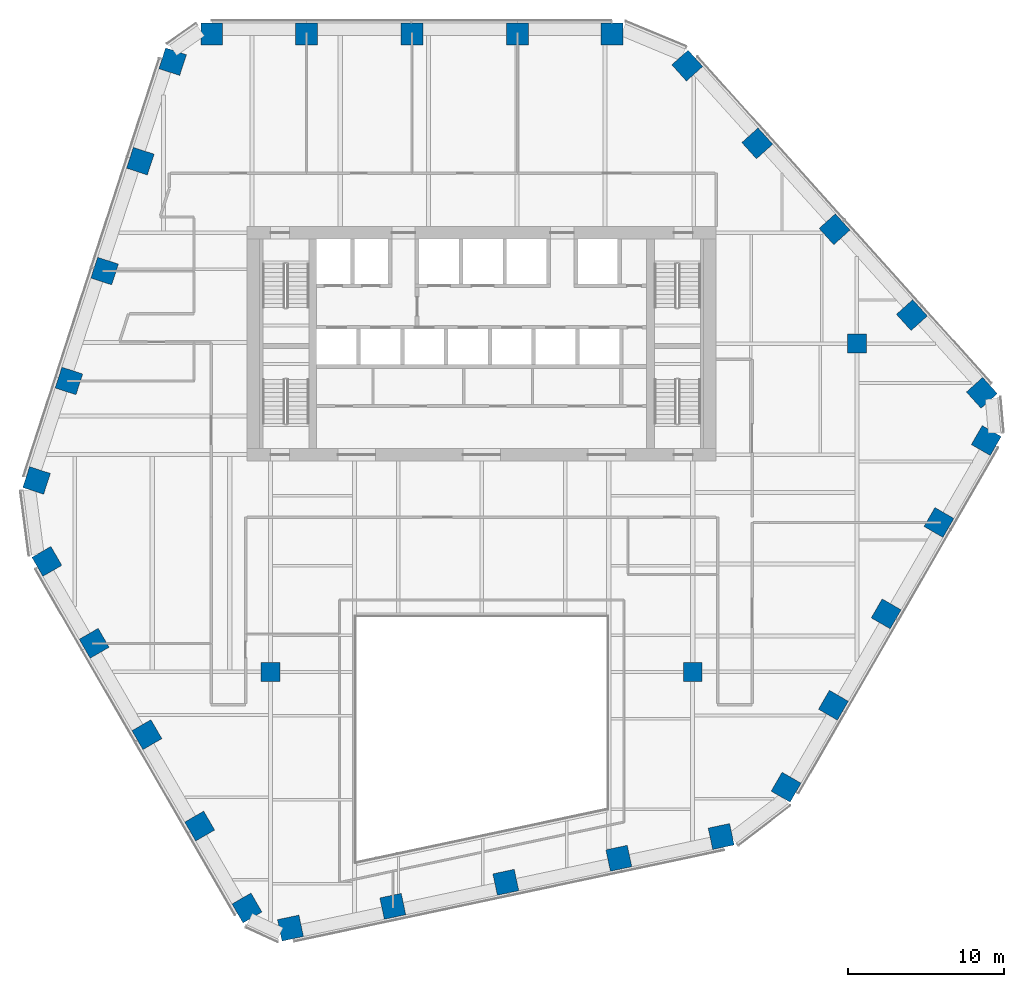
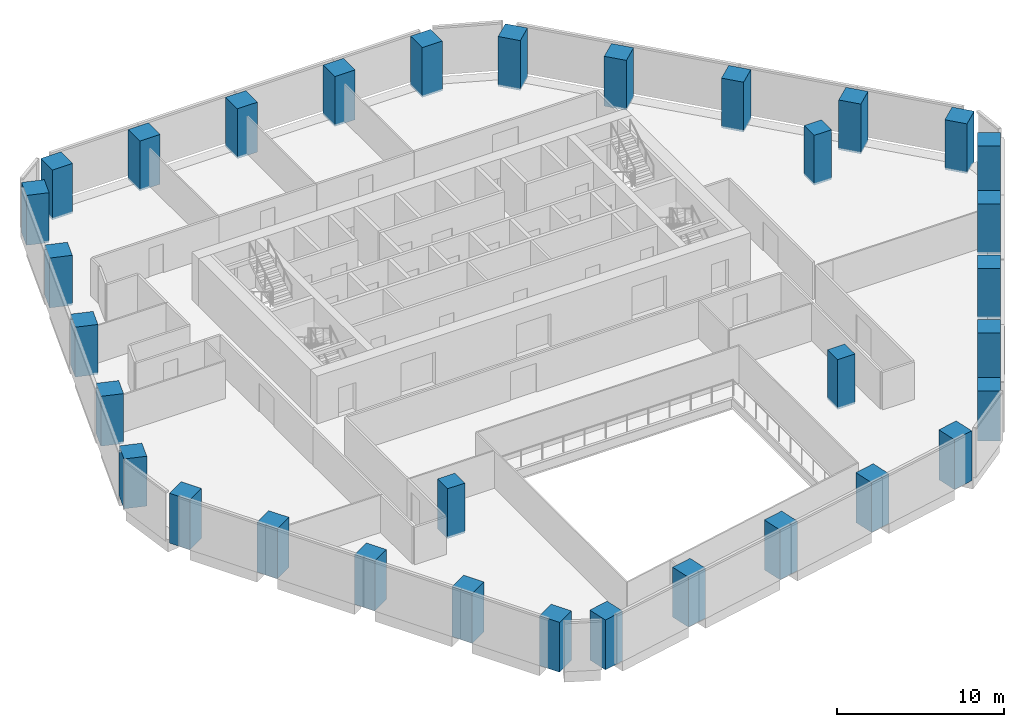
# One storey, part 1 of 16: 33 columns.
"""IFC4 building model written with IfcOpenShell, lengths in metres."""

from ifc_helpers import new_model, si_unit, direction, frame, origin, origin_2d, place, context, subcontext, project, spatial, rectangle, extrude, material, material_profile, profile_set, type_object, element, save


model = new_model("IFC4")

# Units and contexts
model_context = context("Model", 3, precision=1e-05, world=origin(), true_north=direction((0.0, 1.0)))
body_context = subcontext(model_context, "Body", "Model", "MODEL_VIEW")
ifc_project = project(units=[si_unit("LENGTHUNIT", "METRE"), si_unit("AREAUNIT", "SQUARE_METRE"), si_unit("VOLUMEUNIT", "CUBIC_METRE"), si_unit("PLANEANGLEUNIT", "RADIAN"), si_unit("MASSUNIT", "GRAM", prefix="KILO")], contexts=[model_context])

# Site, building, storey
site_placement = place(None, origin())
site = spatial("IfcSite", under=ifc_project, at=site_placement, CompositionType="ELEMENT")
building_placement = place(site_placement, origin())
building = spatial("IfcBuilding", under=site, at=building_placement, Name="Isthmus Gate Tower", CompositionType="ELEMENT")
storey_placement = place(building_placement, frame((0.0, 0.0, 155.35009765625)))
storey = spatial("IfcBuildingStorey", under=building, at=storey_placement, Name="L38", CompositionType="ELEMENT", Elevation=155.35009765625)

# Columns
ifc_material_1 = material(Name="Concrete f'c 60 MPa", Category="concrete")
ifc_material_profile_1 = material_profile(ifc_material_1, rectangle(XDim=1.199951171875, YDim=1.199951171875, at=origin_2d()), Name="RC 1200X1200")
ifc_profile_set_1 = profile_set([ifc_material_profile_1], Name="Concrete f'c 60 MPa")
column_type_1 = type_object("IfcColumnType", Name="RC INTERIOR COLUMN 1200 X 1200", PredefinedType="COLUMN", material=ifc_profile_set_1)
for number, where, z_axis, x_axis, name in (
    (1, (-13.5, -13.5, -0.150146484375), (0.0, 0.0, 1.0), (1.0, 0.0, 0.0), "str-icol-L38-ICB2"),
    (2, (13.5, -13.5, -0.150146484375), (0.0, 0.0, 1.0), (1.0, 0.0, 0.0), "str-icol-L38-ICD2"),
    (3, (24.0, 7.5, -0.150146484375), (0.0, 0.0, 1.0), (1.0, 0.0, 0.0), "str-icol-L38-ICE3"),
):
    element("IfcColumn", number, at=place(storey_placement, frame(where, z_axis=z_axis, x_axis=x_axis)), inside=storey, type_object=column_type_1, Name=name, PredefinedType="COLUMN", context=body_context, shape_type="SweptSolid", body=[
        extrude(rectangle(XDim=1.199951171875, YDim=1.199951171875, at=origin_2d()), origin(), (0.0, 0.0, 1.0), 3.650146484375),
    ])
ifc_material_2 = material(Name="Concrete f'c 60 MPa", Category="concrete")
ifc_material_profile_2 = material_profile(ifc_material_2, rectangle(XDim=1.39990234375, YDim=1.39990234375, at=origin_2d()), Name="RC 1400X1400")
ifc_profile_set_2 = profile_set([ifc_material_profile_2], Name="Concrete f'c 60 MPa")
column_type_2 = type_object("IfcColumnType", Name="RC TUBE COLUMN 1400 X 1400", PredefinedType="COLUMN", material=ifc_profile_set_2)
for number, where, z_axis, x_axis, name in (
    (4, (8.338623046875, 27.300048828125, -0.150146484375), (0.0, 0.0, 1.0), (-1.0, 0.0, 0.0), "str-tcol-L38-T2N0"),
    (5, (2.288330078125, 27.300048828125, -0.150146484375), (0.0, 0.0, 1.0), (-1.0, 0.0, 0.0), "str-tcol-L38-T2N1"),
    (6, (-4.461669921875, 27.300048828125, -0.150146484375), (0.0, 0.0, 1.0), (-1.0, 0.0, 0.0), "str-tcol-L38-T2N2"),
    (7, (-11.2119140625, 27.300048828125, -0.150146484375), (0.0, 0.0, 1.0), (-1.0, 0.0, 0.0), "str-tcol-L38-T2N3"),
    (8, (-17.261962890625, 27.300048828125, -0.150146484375), (0.0, 0.0, 1.0), (-1.0, 0.0, 0.0), "str-tcol-L38-T2N4"),
    (9, (-19.765380859375, 25.532958984375, -0.150146484375), (0.0, 0.0, 1.0), (-0.309016994375, -0.951056516295, 0.0), "str-tcol-L38-T2NW0"),
    (10, (-21.8330078125, 19.169677734375, -0.150146484375), (0.0, 0.0, 1.0), (-0.309016994375, -0.951056516295, 0.0), "str-tcol-L38-T2NW1"),
    (11, (-24.116943359375, 12.140625, -0.150146484375), (0.0, 0.0, 1.0), (-0.309016994375, -0.951056516295, 0.0), "str-tcol-L38-T2NW2"),
    (12, (-26.400634765625, 5.111328125, -0.150146484375), (0.0, 0.0, 1.0), (-0.309016994375, -0.951056516295, 0.0), "str-tcol-L38-T2NW3"),
    (13, (-28.46826171875, -1.251953125, -0.150146484375), (0.0, 0.0, 1.0), (-0.309016994375, -0.951056516295, 0.0), "str-tcol-L38-T2NW4"),
    (14, (-27.811767578125, -6.4287109375, -0.150146484375), (0.0, 0.0, 1.0), (0.5, -0.866025403784, 0.0), "str-tcol-L38-T2SW0"),
    (15, (-24.78662109375, -11.668212890625, -0.150146484375), (0.0, 0.0, 1.0), (0.5, -0.866025403784, 0.0), "str-tcol-L38-T2SW1"),
    (16, (-21.41162109375, -17.513916015625, -0.150146484375), (0.0, 0.0, 1.0), (0.5, -0.866025403784, 0.0), "str-tcol-L38-T2SW2"),
    (17, (-18.03662109375, -23.359619140625, -0.150146484375), (0.0, 0.0, 1.0), (0.5, -0.866025403784, 0.0), "str-tcol-L38-T2SW3"),
    (18, (-15.011474609375, -28.599365234375, -0.150146484375), (0.0, 0.0, 1.0), (0.5, -0.866025403784, 0.0), "str-tcol-L38-T2SW4"),
    (19, (-12.2294921875, -29.8837890625, -0.150146484375), (0.0, 0.0, 1.0), (0.978147600734, 0.207911690818, 0.0), "str-tcol-L38-T2S0"),
    (20, (-5.684814453125, -28.49267578125, -0.150146484375), (0.0, 0.0, 1.0), (0.978147600734, 0.207911690818, 0.0), "str-tcol-L38-T2S1"),
    (21, (1.54443359375, -26.9560546875, -0.150146484375), (0.0, 0.0, 1.0), (0.978147600734, 0.207911690818, 0.0), "str-tcol-L38-T2S2"),
    (22, (8.773681640625, -25.41943359375, -0.150146484375), (0.0, 0.0, 1.0), (0.978147600734, 0.207911690818, 0.0), "str-tcol-L38-T2S3"),
    (23, (15.318359375, -24.0283203125, -0.150146484375), (0.0, 0.0, 1.0), (0.978147600734, 0.207911690818, 0.0), "str-tcol-L38-T2S4"),
    (24, (19.47314453125, -20.871337890625, -0.150146484375), (0.0, 0.0, 1.0), (0.5, 0.866025403784, 0.0), "str-tcol-L38-T2SE0"),
    (25, (22.498291015625, -15.6318359375, -0.150146484375), (0.0, 0.0, 1.0), (0.5, 0.866025403784, 0.0), "str-tcol-L38-T2SE1"),
    (26, (25.873291015625, -9.7861328125, -0.150146484375), (0.0, 0.0, 1.0), (0.5, 0.866025403784, 0.0), "str-tcol-L38-T2SE2"),
    (27, (29.248291015625, -3.940185546875, -0.150146484375), (0.0, 0.0, 1.0), (0.5, 0.866025403784, 0.0), "str-tcol-L38-T2SE3"),
    (28, (32.2734375, 1.29931640625, -0.150146484375), (0.0, 0.0, 1.0), (0.5, 0.866025403784, 0.0), "str-tcol-L38-T2SE4"),
    (29, (31.994873046875, 4.350830078125, -0.150146484375), (0.0, 0.0, 1.0), (-0.669130606359, 0.743144825477, 0.0), "str-tcol-L38-T2NE0"),
    (30, (27.517822265625, 9.3232421875, -0.150146484375), (0.0, 0.0, 1.0), (-0.669130606359, 0.743144825477, 0.0), "str-tcol-L38-T2NE1"),
    (31, (22.572509765625, 14.815673828125, -0.150146484375), (0.0, 0.0, 1.0), (-0.669130606359, 0.743144825477, 0.0), "str-tcol-L38-T2NE2"),
    (32, (17.626953125, 20.30810546875, -0.150146484375), (0.0, 0.0, 1.0), (-0.669130606359, 0.743144825477, 0.0), "str-tcol-L38-T2NE3"),
    (33, (13.14990234375, 25.2802734375, -0.150146484375), (0.0, 0.0, 1.0), (-0.669130606359, 0.743144825477, 0.0), "str-tcol-L38-T2NE4"),
):
    element("IfcColumn", number, at=place(storey_placement, frame(where, z_axis=z_axis, x_axis=x_axis)), inside=storey, type_object=column_type_2, Name=name, PredefinedType="COLUMN", context=body_context, shape_type="SweptSolid", body=[
        extrude(rectangle(XDim=1.39990234375, YDim=1.39990234375, at=origin_2d()), origin(), (0.0, 0.0, 1.0), 3.650146484375),
    ])

save(model, "model.ifc")
